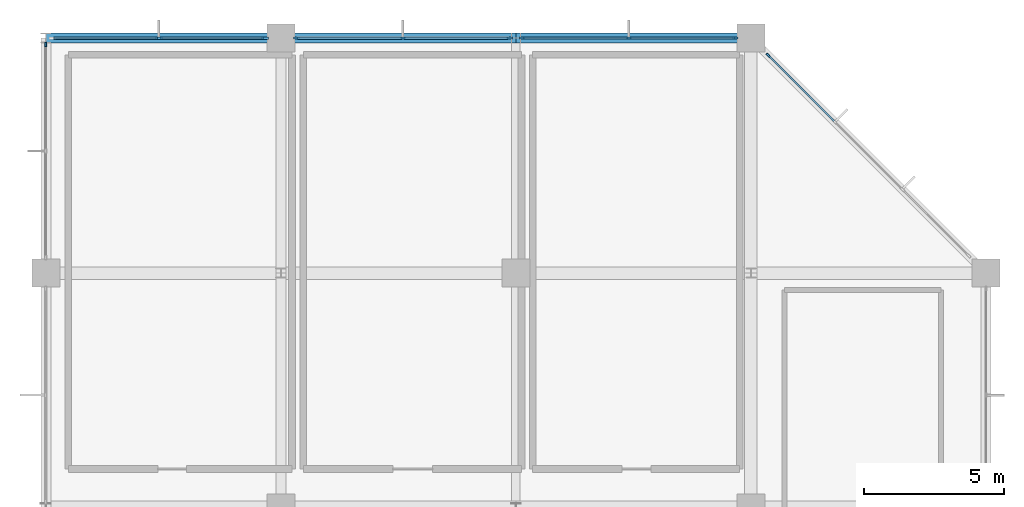
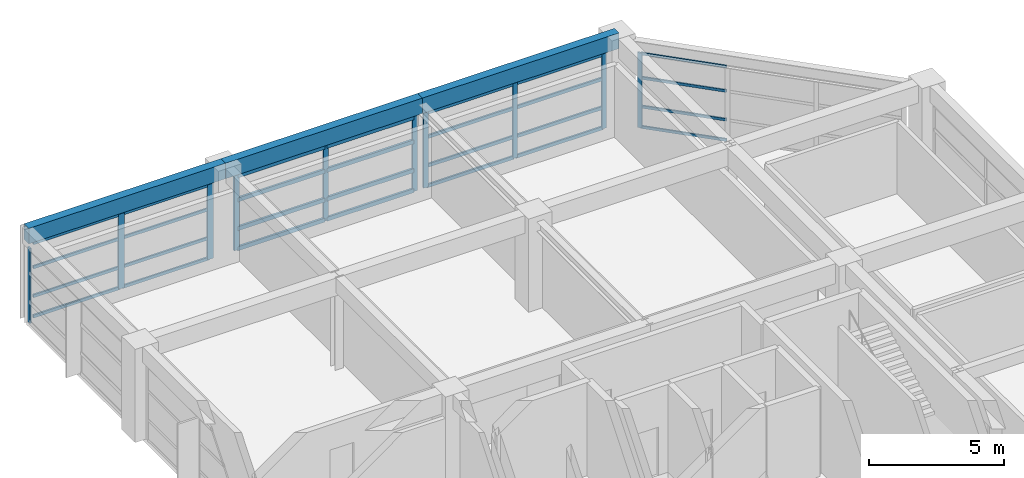
# One storey, part 9 of 16: 38 members, 3 beams, 5 elements without a shape of their own.
"""IFC4 building model written with IfcOpenShell, lengths in metres."""

from ifc_helpers import new_model, si_unit, direction, frame, origin, origin_2d, place, context, subcontext, project, spatial, rectangle, extrude, material, material_profile, profile_set, type_object, element, aggregate, save


model = new_model("IFC4")

# Units and contexts
model_context = context("Model", 3, precision=1e-05, world=origin(), true_north=direction((0.0, 1.0)))
body_context = subcontext(model_context, "Body", "Model", "MODEL_VIEW")
ifc_project = project(units=[si_unit("LENGTHUNIT", "METRE"), si_unit("AREAUNIT", "SQUARE_METRE"), si_unit("VOLUMEUNIT", "CUBIC_METRE"), si_unit("PLANEANGLEUNIT", "RADIAN"), si_unit("MASSUNIT", "GRAM", prefix="KILO")], contexts=[model_context])

# Site, building, storey
site_placement = place(None, origin())
site = spatial("IfcSite", under=ifc_project, at=site_placement, CompositionType="ELEMENT")
building_placement = place(site_placement, origin())
building = spatial("IfcBuilding", under=site, at=building_placement, Name="Xuanlan Plaza Opera House", CompositionType="ELEMENT")
storey_placement = place(building_placement, frame((0.0, 0.0, 48.89990234375)))
storey = spatial("IfcBuildingStorey", under=building, at=storey_placement, Name="L11", CompositionType="ELEMENT", Elevation=48.89990234375)

# Curtain wall, member
ifc_material_1 = material(Name="Anodised Aluminium 6063-T6 and Low-E Glass", Category="aluminium")
curtain_wall_type_1 = type_object("IfcCurtainWallType", Name="ENV-CW-CW-02", PredefinedType="USERDEFINED", material=ifc_material_1)
curtain_wall_1_placement = place(storey_placement, origin())
curtain_wall_1 = element("IfcCurtainWall", 1, at=curtain_wall_1_placement, inside=storey, type_object=curtain_wall_type_1, Name="Unitised Curtain Wall L11-013", ObjectType="UNITISED CURTAIN WALL", PredefinedType="USERDEFINED")
ifc_material_2 = material(Name="Anodised Aluminium 6063-T6", Category="aluminium")
ifc_material_profile_1 = material_profile(ifc_material_2, rectangle(XDim=0.06494140625, YDim=0.159912109375, at=origin_2d()), Name="ALU-M 65x160")
ifc_profile_set_1 = profile_set([ifc_material_profile_1], Name="Anodised Aluminium 6063-T6")
member_type_1 = type_object("IfcMemberType", Name="ENV-CWM-01", PredefinedType="MULLION", material=ifc_profile_set_1)
member_1_placement = place(storey_placement, frame((126.0, 83.7724609375, 0.0), z_axis=(0.0, 0.0, 1.0), x_axis=(1.0, 0.0, 0.0)))
member_1 = element("IfcMember", 2, at=member_1_placement, type_object=member_type_1, Name="CW-02 mullion 1", PredefinedType="MULLION", context=body_context, shape_type="SweptSolid", body=[
    extrude(rectangle(XDim=0.06494140625, YDim=0.159912109375, at=origin_2d()), origin(), (0.0, 0.0, 1.0), 3.380126953125),
])
aggregate(curtain_wall_1, [member_1])

curtain_wall_2_placement = place(storey_placement, origin())
curtain_wall_2 = element("IfcCurtainWall", 3, at=curtain_wall_2_placement, inside=storey, type_object=curtain_wall_type_1, Name="Unitised Curtain Wall L11-009", ObjectType="UNITISED CURTAIN WALL", PredefinedType="USERDEFINED")
ifc_material_profile_2 = material_profile(ifc_material_2, rectangle(XDim=0.070068359375, YDim=0.179931640625, at=origin_2d()), Name="ALU-M 70x180")
ifc_profile_set_2 = profile_set([ifc_material_profile_2], Name="Anodised Aluminium 6063-T6")
member_type_2 = type_object("IfcMemberType", Name="ENV-CWM-02", PredefinedType="MULLION", material=ifc_profile_set_2)
member_2_placement = place(storey_placement, frame((151.82373046875, 83.376220703125, 0.0), z_axis=(0.0, 0.0, 1.0), x_axis=(-0.707106781187, -0.707106781187, 0.0)))
member_2 = element("IfcMember", 4, at=member_2_placement, type_object=member_type_2, Name="CW-02 mullion 4", PredefinedType="MULLION", context=body_context, shape_type="SweptSolid", body=[
    extrude(rectangle(XDim=0.070068359375, YDim=0.179931640625, at=origin_2d()), origin(), (0.0, 0.0, 1.0), 3.380126953125),
])

# Curtain wall, members
curtain_wall_type_2 = type_object("IfcCurtainWallType", Name="ENV-CW-CW-03", PredefinedType="USERDEFINED", material=ifc_material_1)
curtain_wall_3_placement = place(storey_placement, origin())
curtain_wall_3 = element("IfcCurtainWall", 5, at=curtain_wall_3_placement, inside=storey, type_object=curtain_wall_type_2, Name="Unitised Curtain Wall L11-010", ObjectType="UNITISED CURTAIN WALL", PredefinedType="USERDEFINED")
ifc_material_profile_3 = material_profile(ifc_material_2, rectangle(XDim=0.074951171875, YDim=0.199951171875, at=origin_2d()), Name="ALU-M 75x200")
ifc_profile_set_3 = profile_set([ifc_material_profile_3], Name="Anodised Aluminium 6063-T6")
member_type_3 = type_object("IfcMemberType", Name="ENV-CWM-03", PredefinedType="MULLION", material=ifc_profile_set_3)
member_3_placement = place(storey_placement, frame((150.642578125, 84.0, 0.0), z_axis=(0.0, 0.0, 1.0), x_axis=(0.0, -1.0, 0.0)))
member_3 = element("IfcMember", 6, at=member_3_placement, type_object=member_type_3, Name="CW-03 mullion 1", PredefinedType="MULLION", context=body_context, shape_type="SweptSolid", body=[
    extrude(rectangle(XDim=0.074951171875, YDim=0.199951171875, at=origin_2d()), origin(), (0.0, 0.0, 1.0), 3.380126953125),
])
member_4_placement = place(storey_placement, frame((146.83740234375, 84.0, 0.0), z_axis=(0.0, 0.0, 1.0), x_axis=(0.0, -1.0, 0.0)))
member_4 = element("IfcMember", 7, at=member_4_placement, type_object=member_type_3, Name="CW-03 mullion 2", PredefinedType="MULLION", context=body_context, shape_type="SweptSolid", body=[
    extrude(rectangle(XDim=0.074951171875, YDim=0.199951171875, at=origin_2d()), origin(), (0.0, 0.0, 1.0), 3.380126953125),
])
member_5_placement = place(storey_placement, frame((143.032470703125, 84.0, 0.0), z_axis=(0.0, 0.0, 1.0), x_axis=(0.0, -1.0, 0.0)))
member_5 = element("IfcMember", 8, at=member_5_placement, type_object=member_type_3, Name="CW-03 mullion 3", PredefinedType="MULLION", context=body_context, shape_type="SweptSolid", body=[
    extrude(rectangle(XDim=0.074951171875, YDim=0.199951171875, at=origin_2d()), origin(), (0.0, 0.0, 1.0), 3.380126953125),
])

curtain_wall_type_3 = type_object("IfcCurtainWallType", Name="ENV-CW-CW-04", PredefinedType="USERDEFINED", material=ifc_material_1)
curtain_wall_4_placement = place(storey_placement, origin())
curtain_wall_4 = element("IfcCurtainWall", 9, at=curtain_wall_4_placement, inside=storey, type_object=curtain_wall_type_3, Name="Unitised Curtain Wall L11-011", ObjectType="UNITISED CURTAIN WALL", PredefinedType="USERDEFINED")
ifc_material_profile_4 = material_profile(ifc_material_2, rectangle(XDim=0.080078125, YDim=0.219970703125, at=origin_2d()), Name="ALU-M 80x220")
ifc_profile_set_4 = profile_set([ifc_material_profile_4], Name="Anodised Aluminium 6063-T6")
member_type_4 = type_object("IfcMemberType", Name="ENV-CWM-04", PredefinedType="MULLION", material=ifc_profile_set_4)
member_6_placement = place(storey_placement, frame((142.56494140625, 84.0, 0.0), z_axis=(0.0, 0.0, 1.0), x_axis=(0.0, -1.0, 0.0)))
member_6 = element("IfcMember", 10, at=member_6_placement, type_object=member_type_4, Name="CW-04 mullion 1", PredefinedType="MULLION", context=body_context, shape_type="SweptSolid", body=[
    extrude(rectangle(XDim=0.080078125, YDim=0.219970703125, at=origin_2d()), origin(), (0.0, 0.0, 1.0), 3.380126953125),
])
member_7_placement = place(storey_placement, frame((138.762451171875, 84.0, 0.0), z_axis=(0.0, 0.0, 1.0), x_axis=(0.0, -1.0, 0.0)))
member_7 = element("IfcMember", 11, at=member_7_placement, type_object=member_type_4, Name="CW-04 mullion 2", PredefinedType="MULLION", context=body_context, shape_type="SweptSolid", body=[
    extrude(rectangle(XDim=0.080078125, YDim=0.219970703125, at=origin_2d()), origin(), (0.0, 0.0, 1.0), 3.380126953125),
])
member_8_placement = place(storey_placement, frame((134.9599609375, 84.0, 0.0), z_axis=(0.0, 0.0, 1.0), x_axis=(0.0, -1.0, 0.0)))
member_8 = element("IfcMember", 12, at=member_8_placement, type_object=member_type_4, Name="CW-04 mullion 3", PredefinedType="MULLION", context=body_context, shape_type="SweptSolid", body=[
    extrude(rectangle(XDim=0.080078125, YDim=0.219970703125, at=origin_2d()), origin(), (0.0, 0.0, 1.0), 3.380126953125),
])

curtain_wall_type_4 = type_object("IfcCurtainWallType", Name="ENV-CW-CW-01", PredefinedType="USERDEFINED", material=ifc_material_1)
curtain_wall_5_placement = place(storey_placement, origin())
curtain_wall_5 = element("IfcCurtainWall", 13, at=curtain_wall_5_placement, inside=storey, type_object=curtain_wall_type_4, Name="Unitised Curtain Wall L11-012", ObjectType="UNITISED CURTAIN WALL", PredefinedType="USERDEFINED")
ifc_material_profile_5 = material_profile(ifc_material_2, rectangle(XDim=0.090087890625, YDim=0.25, at=origin_2d()), Name="ALU-M 90x250")
ifc_profile_set_5 = profile_set([ifc_material_profile_5], Name="Anodised Aluminium 6063-T6")
member_type_5 = type_object("IfcMemberType", Name="ENV-CWM-05", PredefinedType="MULLION", material=ifc_profile_set_5)
member_9_placement = place(storey_placement, frame((133.8349609375, 84.0, 0.0), z_axis=(0.0, 0.0, 1.0), x_axis=(0.0, -1.0, 0.0)))
member_9 = element("IfcMember", 14, at=member_9_placement, type_object=member_type_5, Name="CW-01 mullion 1", PredefinedType="MULLION", context=body_context, shape_type="SweptSolid", body=[
    extrude(rectangle(XDim=0.090087890625, YDim=0.25, at=origin_2d()), origin(), (0.0, 0.0, 1.0), 3.380126953125),
])
member_10_placement = place(storey_placement, frame((130.03759765625, 84.0, 0.0), z_axis=(0.0, 0.0, 1.0), x_axis=(0.0, -1.0, 0.0)))
member_10 = element("IfcMember", 15, at=member_10_placement, type_object=member_type_5, Name="CW-01 mullion 2", PredefinedType="MULLION", context=body_context, shape_type="SweptSolid", body=[
    extrude(rectangle(XDim=0.090087890625, YDim=0.25, at=origin_2d()), origin(), (0.0, 0.0, 1.0), 3.380126953125),
])

# Member
ifc_material_profile_6 = material_profile(ifc_material_2, rectangle(XDim=0.06494140625, YDim=0.1201171875, at=origin_2d()), Name="ALU-T 65x120")
ifc_profile_set_6 = profile_set([ifc_material_profile_6], Name="Anodised Aluminium 6063-T6")
member_type_6 = type_object("IfcMemberType", Name="ENV-CWT-01", PredefinedType="USERDEFINED", material=ifc_profile_set_6)
member_11_placement = place(storey_placement, frame((154.1748046875, 81.025146484375, 0.03271484375), z_axis=(-0.707106781187, 0.707106781187, 0.0), x_axis=(-0.707106781187, -0.707106781187, 0.0)))
member_11 = element("IfcMember", 16, at=member_11_placement, type_object=member_type_6, Name="CW-02 transom 3.1", ObjectType="TRANSOM", PredefinedType="USERDEFINED", context=body_context, shape_type="SweptSolid", body=[
    extrude(rectangle(XDim=0.06494140625, YDim=0.1201171875, at=origin_2d()), origin(), (0.0, 0.0, 1.0), 3.2900390625),
])

member_12_placement = place(storey_placement, frame((154.1748046875, 81.025146484375, 0.9501953125), z_axis=(-0.707106781187, 0.707106781187, 0.0), x_axis=(-0.707106781187, -0.707106781187, 0.0)))
member_12 = element("IfcMember", 17, at=member_12_placement, type_object=member_type_6, Name="CW-02 transom 3.2", ObjectType="TRANSOM", PredefinedType="USERDEFINED", context=body_context, shape_type="SweptSolid", body=[
    extrude(rectangle(XDim=0.06494140625, YDim=0.1201171875, at=origin_2d()), origin(), (0.0, 0.0, 1.0), 3.2900390625),
])

member_13_placement = place(storey_placement, frame((154.1748046875, 81.025146484375, 2.25), z_axis=(-0.707106781187, 0.707106781187, 0.0), x_axis=(-0.707106781187, -0.707106781187, 0.0)))
member_13 = element("IfcMember", 18, at=member_13_placement, type_object=member_type_6, Name="CW-02 transom 3.3", ObjectType="TRANSOM", PredefinedType="USERDEFINED", context=body_context, shape_type="SweptSolid", body=[
    extrude(rectangle(XDim=0.06494140625, YDim=0.1201171875, at=origin_2d()), origin(), (0.0, 0.0, 1.0), 3.2900390625),
])

member_14_placement = place(storey_placement, frame((154.1748046875, 81.025146484375, 3.34765625), z_axis=(-0.707106781187, 0.707106781187, 0.0), x_axis=(-0.707106781187, -0.707106781187, 0.0)))
member_14 = element("IfcMember", 19, at=member_14_placement, type_object=member_type_6, Name="CW-02 transom 3.4", ObjectType="TRANSOM", PredefinedType="USERDEFINED", context=body_context, shape_type="SweptSolid", body=[
    extrude(rectangle(XDim=0.06494140625, YDim=0.1201171875, at=origin_2d()), origin(), (0.0, 0.0, 1.0), 3.2900390625),
])

aggregate(curtain_wall_2, [member_2, member_11, member_12, member_13, member_14])

ifc_material_profile_7 = material_profile(ifc_material_2, rectangle(XDim=0.070068359375, YDim=0.135009765625, at=origin_2d()), Name="ALU-T 70x135")
ifc_profile_set_7 = profile_set([ifc_material_profile_7], Name="Anodised Aluminium 6063-T6")
member_type_7 = type_object("IfcMemberType", Name="ENV-CWT-02", PredefinedType="USERDEFINED", material=ifc_profile_set_7)
member_15_placement = place(storey_placement, frame((133.7900390625, 84.0, 0.03515625), z_axis=(-1.0, 0.0, 0.0), x_axis=(0.0, -1.0, 0.0)))
member_15 = element("IfcMember", 20, at=member_15_placement, type_object=member_type_7, Name="CW-01 transom 1.1", ObjectType="TRANSOM", PredefinedType="USERDEFINED", context=body_context, shape_type="SweptSolid", body=[
    extrude(rectangle(XDim=0.070068359375, YDim=0.135009765625, at=origin_2d()), origin(), (0.0, 0.0, 1.0), 3.70751953125),
])

member_16_placement = place(storey_placement, frame((133.7900390625, 84.0, 0.9501953125), z_axis=(-1.0, 0.0, 0.0), x_axis=(0.0, -1.0, 0.0)))
member_16 = element("IfcMember", 21, at=member_16_placement, type_object=member_type_7, Name="CW-01 transom 1.2", ObjectType="TRANSOM", PredefinedType="USERDEFINED", context=body_context, shape_type="SweptSolid", body=[
    extrude(rectangle(XDim=0.070068359375, YDim=0.135009765625, at=origin_2d()), origin(), (0.0, 0.0, 1.0), 3.70751953125),
])

member_17_placement = place(storey_placement, frame((133.7900390625, 84.0, 2.25), z_axis=(-1.0, 0.0, 0.0), x_axis=(0.0, -1.0, 0.0)))
member_17 = element("IfcMember", 22, at=member_17_placement, type_object=member_type_7, Name="CW-01 transom 1.3", ObjectType="TRANSOM", PredefinedType="USERDEFINED", context=body_context, shape_type="SweptSolid", body=[
    extrude(rectangle(XDim=0.070068359375, YDim=0.135009765625, at=origin_2d()), origin(), (0.0, 0.0, 1.0), 3.70751953125),
])

member_18_placement = place(storey_placement, frame((133.7900390625, 84.0, 3.34521484375), z_axis=(-1.0, 0.0, 0.0), x_axis=(0.0, -1.0, 0.0)))
member_18 = element("IfcMember", 23, at=member_18_placement, type_object=member_type_7, Name="CW-01 transom 1.4", ObjectType="TRANSOM", PredefinedType="USERDEFINED", context=body_context, shape_type="SweptSolid", body=[
    extrude(rectangle(XDim=0.070068359375, YDim=0.135009765625, at=origin_2d()), origin(), (0.0, 0.0, 1.0), 3.70751953125),
])

member_19_placement = place(storey_placement, frame((129.992431640625, 84.0, 0.03515625), z_axis=(-1.0, 0.0, 0.0), x_axis=(0.0, -1.0, 0.0)))
member_19 = element("IfcMember", 24, at=member_19_placement, type_object=member_type_7, Name="CW-01 transom 2.1", ObjectType="TRANSOM", PredefinedType="USERDEFINED", context=body_context, shape_type="SweptSolid", body=[
    extrude(rectangle(XDim=0.070068359375, YDim=0.135009765625, at=origin_2d()), origin(), (0.0, 0.0, 1.0), 3.70751953125),
])

member_20_placement = place(storey_placement, frame((129.992431640625, 84.0, 0.9501953125), z_axis=(-1.0, 0.0, 0.0), x_axis=(0.0, -1.0, 0.0)))
member_20 = element("IfcMember", 25, at=member_20_placement, type_object=member_type_7, Name="CW-01 transom 2.2", ObjectType="TRANSOM", PredefinedType="USERDEFINED", context=body_context, shape_type="SweptSolid", body=[
    extrude(rectangle(XDim=0.070068359375, YDim=0.135009765625, at=origin_2d()), origin(), (0.0, 0.0, 1.0), 3.70751953125),
])

member_21_placement = place(storey_placement, frame((129.992431640625, 84.0, 2.25), z_axis=(-1.0, 0.0, 0.0), x_axis=(0.0, -1.0, 0.0)))
member_21 = element("IfcMember", 26, at=member_21_placement, type_object=member_type_7, Name="CW-01 transom 2.3", ObjectType="TRANSOM", PredefinedType="USERDEFINED", context=body_context, shape_type="SweptSolid", body=[
    extrude(rectangle(XDim=0.070068359375, YDim=0.135009765625, at=origin_2d()), origin(), (0.0, 0.0, 1.0), 3.70751953125),
])

member_22_placement = place(storey_placement, frame((129.992431640625, 84.0, 3.34521484375), z_axis=(-1.0, 0.0, 0.0), x_axis=(0.0, -1.0, 0.0)))
member_22 = element("IfcMember", 27, at=member_22_placement, type_object=member_type_7, Name="CW-01 transom 2.4", ObjectType="TRANSOM", PredefinedType="USERDEFINED", context=body_context, shape_type="SweptSolid", body=[
    extrude(rectangle(XDim=0.070068359375, YDim=0.135009765625, at=origin_2d()), origin(), (0.0, 0.0, 1.0), 3.70751953125),
])

aggregate(curtain_wall_5, [member_9, member_10, member_15, member_16, member_17, member_18, member_19, member_20, member_21, member_22])

ifc_material_profile_8 = material_profile(ifc_material_2, rectangle(XDim=0.074951171875, YDim=0.14990234375, at=origin_2d()), Name="ALU-T 75x150")
ifc_profile_set_8 = profile_set([ifc_material_profile_8], Name="Anodised Aluminium 6063-T6")
member_type_8 = type_object("IfcMemberType", Name="ENV-CWT-03", PredefinedType="USERDEFINED", material=ifc_profile_set_8)
member_23_placement = place(storey_placement, frame((150.60498046875, 84.0, 0.03759765625), z_axis=(-1.0, 0.0, 0.0), x_axis=(0.0, -1.0, 0.0)))
member_23 = element("IfcMember", 28, at=member_23_placement, type_object=member_type_8, Name="CW-03 transom 1.1", ObjectType="TRANSOM", PredefinedType="USERDEFINED", context=body_context, shape_type="SweptSolid", body=[
    extrude(rectangle(XDim=0.074951171875, YDim=0.14990234375, at=origin_2d()), origin(), (0.0, 0.0, 1.0), 3.72998046875),
])

member_24_placement = place(storey_placement, frame((150.60498046875, 84.0, 0.9501953125), z_axis=(-1.0, 0.0, 0.0), x_axis=(0.0, -1.0, 0.0)))
member_24 = element("IfcMember", 29, at=member_24_placement, type_object=member_type_8, Name="CW-03 transom 1.2", ObjectType="TRANSOM", PredefinedType="USERDEFINED", context=body_context, shape_type="SweptSolid", body=[
    extrude(rectangle(XDim=0.074951171875, YDim=0.14990234375, at=origin_2d()), origin(), (0.0, 0.0, 1.0), 3.72998046875),
])

member_25_placement = place(storey_placement, frame((150.60498046875, 84.0, 2.25), z_axis=(-1.0, 0.0, 0.0), x_axis=(0.0, -1.0, 0.0)))
member_25 = element("IfcMember", 30, at=member_25_placement, type_object=member_type_8, Name="CW-03 transom 1.3", ObjectType="TRANSOM", PredefinedType="USERDEFINED", context=body_context, shape_type="SweptSolid", body=[
    extrude(rectangle(XDim=0.074951171875, YDim=0.14990234375, at=origin_2d()), origin(), (0.0, 0.0, 1.0), 3.72998046875),
])

member_26_placement = place(storey_placement, frame((150.60498046875, 84.0, 3.342529296875), z_axis=(-1.0, 0.0, 0.0), x_axis=(0.0, -1.0, 0.0)))
member_26 = element("IfcMember", 31, at=member_26_placement, type_object=member_type_8, Name="CW-03 transom 1.4", ObjectType="TRANSOM", PredefinedType="USERDEFINED", context=body_context, shape_type="SweptSolid", body=[
    extrude(rectangle(XDim=0.074951171875, YDim=0.14990234375, at=origin_2d()), origin(), (0.0, 0.0, 1.0), 3.72998046875),
])

member_27_placement = place(storey_placement, frame((146.800048828125, 84.0, 0.03759765625), z_axis=(-1.0, 0.0, 0.0), x_axis=(0.0, -1.0, 0.0)))
member_27 = element("IfcMember", 32, at=member_27_placement, type_object=member_type_8, Name="CW-03 transom 2.1", ObjectType="TRANSOM", PredefinedType="USERDEFINED", context=body_context, shape_type="SweptSolid", body=[
    extrude(rectangle(XDim=0.074951171875, YDim=0.14990234375, at=origin_2d()), origin(), (0.0, 0.0, 1.0), 3.72998046875),
])

member_28_placement = place(storey_placement, frame((146.800048828125, 84.0, 0.9501953125), z_axis=(-1.0, 0.0, 0.0), x_axis=(0.0, -1.0, 0.0)))
member_28 = element("IfcMember", 33, at=member_28_placement, type_object=member_type_8, Name="CW-03 transom 2.2", ObjectType="TRANSOM", PredefinedType="USERDEFINED", context=body_context, shape_type="SweptSolid", body=[
    extrude(rectangle(XDim=0.074951171875, YDim=0.14990234375, at=origin_2d()), origin(), (0.0, 0.0, 1.0), 3.72998046875),
])

member_29_placement = place(storey_placement, frame((146.800048828125, 84.0, 2.25), z_axis=(-1.0, 0.0, 0.0), x_axis=(0.0, -1.0, 0.0)))
member_29 = element("IfcMember", 34, at=member_29_placement, type_object=member_type_8, Name="CW-03 transom 2.3", ObjectType="TRANSOM", PredefinedType="USERDEFINED", context=body_context, shape_type="SweptSolid", body=[
    extrude(rectangle(XDim=0.074951171875, YDim=0.14990234375, at=origin_2d()), origin(), (0.0, 0.0, 1.0), 3.72998046875),
])

member_30_placement = place(storey_placement, frame((146.800048828125, 84.0, 3.342529296875), z_axis=(-1.0, 0.0, 0.0), x_axis=(0.0, -1.0, 0.0)))
member_30 = element("IfcMember", 35, at=member_30_placement, type_object=member_type_8, Name="CW-03 transom 2.4", ObjectType="TRANSOM", PredefinedType="USERDEFINED", context=body_context, shape_type="SweptSolid", body=[
    extrude(rectangle(XDim=0.074951171875, YDim=0.14990234375, at=origin_2d()), origin(), (0.0, 0.0, 1.0), 3.72998046875),
])

aggregate(curtain_wall_3, [member_3, member_4, member_5, member_23, member_24, member_25, member_26, member_27, member_28, member_29, member_30])

ifc_material_profile_9 = material_profile(ifc_material_2, rectangle(XDim=0.090087890625, YDim=0.179931640625, at=origin_2d()), Name="ALU-T 90x180")
ifc_profile_set_9 = profile_set([ifc_material_profile_9], Name="Anodised Aluminium 6063-T6")
member_type_9 = type_object("IfcMemberType", Name="ENV-CWT-05", PredefinedType="USERDEFINED", material=ifc_profile_set_9)
member_31_placement = place(storey_placement, frame((142.52490234375, 84.0, 0.045166015625), z_axis=(-1.0, 0.0, 0.0), x_axis=(0.0, -1.0, 0.0)))
member_31 = element("IfcMember", 36, at=member_31_placement, type_object=member_type_9, Name="CW-04 transom 1.1", ObjectType="TRANSOM", PredefinedType="USERDEFINED", context=body_context, shape_type="SweptSolid", body=[
    extrude(rectangle(XDim=0.090087890625, YDim=0.179931640625, at=origin_2d()), origin(), (0.0, 0.0, 1.0), 3.722412109375),
])

member_32_placement = place(storey_placement, frame((142.52490234375, 84.0, 0.9501953125), z_axis=(-1.0, 0.0, 0.0), x_axis=(0.0, -1.0, 0.0)))
member_32 = element("IfcMember", 37, at=member_32_placement, type_object=member_type_9, Name="CW-04 transom 1.2", ObjectType="TRANSOM", PredefinedType="USERDEFINED", context=body_context, shape_type="SweptSolid", body=[
    extrude(rectangle(XDim=0.090087890625, YDim=0.179931640625, at=origin_2d()), origin(), (0.0, 0.0, 1.0), 3.722412109375),
])

member_33_placement = place(storey_placement, frame((142.52490234375, 84.0, 2.25), z_axis=(-1.0, 0.0, 0.0), x_axis=(0.0, -1.0, 0.0)))
member_33 = element("IfcMember", 38, at=member_33_placement, type_object=member_type_9, Name="CW-04 transom 1.3", ObjectType="TRANSOM", PredefinedType="USERDEFINED", context=body_context, shape_type="SweptSolid", body=[
    extrude(rectangle(XDim=0.090087890625, YDim=0.179931640625, at=origin_2d()), origin(), (0.0, 0.0, 1.0), 3.722412109375),
])

member_34_placement = place(storey_placement, frame((142.52490234375, 84.0, 3.335205078125), z_axis=(-1.0, 0.0, 0.0), x_axis=(0.0, -1.0, 0.0)))
member_34 = element("IfcMember", 39, at=member_34_placement, type_object=member_type_9, Name="CW-04 transom 1.4", ObjectType="TRANSOM", PredefinedType="USERDEFINED", context=body_context, shape_type="SweptSolid", body=[
    extrude(rectangle(XDim=0.090087890625, YDim=0.179931640625, at=origin_2d()), origin(), (0.0, 0.0, 1.0), 3.722412109375),
])

member_35_placement = place(storey_placement, frame((138.722412109375, 84.0, 0.045166015625), z_axis=(-1.0, 0.0, 0.0), x_axis=(0.0, -1.0, 0.0)))
member_35 = element("IfcMember", 40, at=member_35_placement, type_object=member_type_9, Name="CW-04 transom 2.1", ObjectType="TRANSOM", PredefinedType="USERDEFINED", context=body_context, shape_type="SweptSolid", body=[
    extrude(rectangle(XDim=0.090087890625, YDim=0.179931640625, at=origin_2d()), origin(), (0.0, 0.0, 1.0), 3.722412109375),
])

member_36_placement = place(storey_placement, frame((138.722412109375, 84.0, 0.9501953125), z_axis=(-1.0, 0.0, 0.0), x_axis=(0.0, -1.0, 0.0)))
member_36 = element("IfcMember", 41, at=member_36_placement, type_object=member_type_9, Name="CW-04 transom 2.2", ObjectType="TRANSOM", PredefinedType="USERDEFINED", context=body_context, shape_type="SweptSolid", body=[
    extrude(rectangle(XDim=0.090087890625, YDim=0.179931640625, at=origin_2d()), origin(), (0.0, 0.0, 1.0), 3.722412109375),
])

member_37_placement = place(storey_placement, frame((138.722412109375, 84.0, 2.25), z_axis=(-1.0, 0.0, 0.0), x_axis=(0.0, -1.0, 0.0)))
member_37 = element("IfcMember", 42, at=member_37_placement, type_object=member_type_9, Name="CW-04 transom 2.3", ObjectType="TRANSOM", PredefinedType="USERDEFINED", context=body_context, shape_type="SweptSolid", body=[
    extrude(rectangle(XDim=0.090087890625, YDim=0.179931640625, at=origin_2d()), origin(), (0.0, 0.0, 1.0), 3.722412109375),
])

member_38_placement = place(storey_placement, frame((138.722412109375, 84.0, 3.335205078125), z_axis=(-1.0, 0.0, 0.0), x_axis=(0.0, -1.0, 0.0)))
member_38 = element("IfcMember", 43, at=member_38_placement, type_object=member_type_9, Name="CW-04 transom 2.4", ObjectType="TRANSOM", PredefinedType="USERDEFINED", context=body_context, shape_type="SweptSolid", body=[
    extrude(rectangle(XDim=0.090087890625, YDim=0.179931640625, at=origin_2d()), origin(), (0.0, 0.0, 1.0), 3.722412109375),
])

aggregate(curtain_wall_4, [member_6, member_7, member_8, member_31, member_32, member_33, member_34, member_35, member_36, member_37, member_38])

# Beams
ifc_material_3 = material(Name="Concrete C40", Category="concrete")
ifc_material_profile_10 = material_profile(ifc_material_3, rectangle(XDim=0.35009765625, YDim=0.699951171875, at=origin_2d()), Name="RC-SPD 350x700")
ifc_profile_set_10 = profile_set([ifc_material_profile_10], Name="Concrete C40")
beam_type = type_object("IfcBeamType", Name="STR-BM-SP-02", PredefinedType="SPANDREL", material=ifc_profile_set_10)
beam_1_placement = place(storey_placement, frame((126.0, 84.0, 3.85009765625), z_axis=(1.0, 0.0, 0.0), x_axis=(0.0, 1.0, 0.0)))
element("IfcBeam", 44, at=beam_1_placement, inside=storey, type_object=beam_type, Name="Grid Beam X L11 16-17/K", PredefinedType="SPANDREL", context=body_context, shape_type="SweptSolid", body=[
    extrude(rectangle(XDim=0.35009765625, YDim=0.699951171875, at=origin_2d()), origin(), (0.0, 0.0, 1.0), 8.39990234375),
])
beam_2_placement = place(storey_placement, frame((134.39990234375, 84.0, 3.85009765625), z_axis=(1.0, 0.0, 0.0), x_axis=(0.0, 1.0, 0.0)))
element("IfcBeam", 45, at=beam_2_placement, inside=storey, type_object=beam_type, Name="Grid Beam X L11 17-18/K", PredefinedType="SPANDREL", context=body_context, shape_type="SweptSolid", body=[
    extrude(rectangle(XDim=0.35009765625, YDim=0.699951171875, at=origin_2d()), origin(), (0.0, 0.0, 1.0), 8.400146484375),
])
beam_3_placement = place(storey_placement, frame((142.800048828125, 84.0, 3.85009765625), z_axis=(1.0, 0.0, 0.0), x_axis=(0.0, 1.0, 0.0)))
element("IfcBeam", 46, at=beam_3_placement, inside=storey, type_object=beam_type, Name="Grid Beam X L11 18-19/K", PredefinedType="SPANDREL", context=body_context, shape_type="SweptSolid", body=[
    extrude(rectangle(XDim=0.35009765625, YDim=0.699951171875, at=origin_2d()), origin(), (0.0, 0.0, 1.0), 8.39990234375),
])

save(model, "model.ifc")
